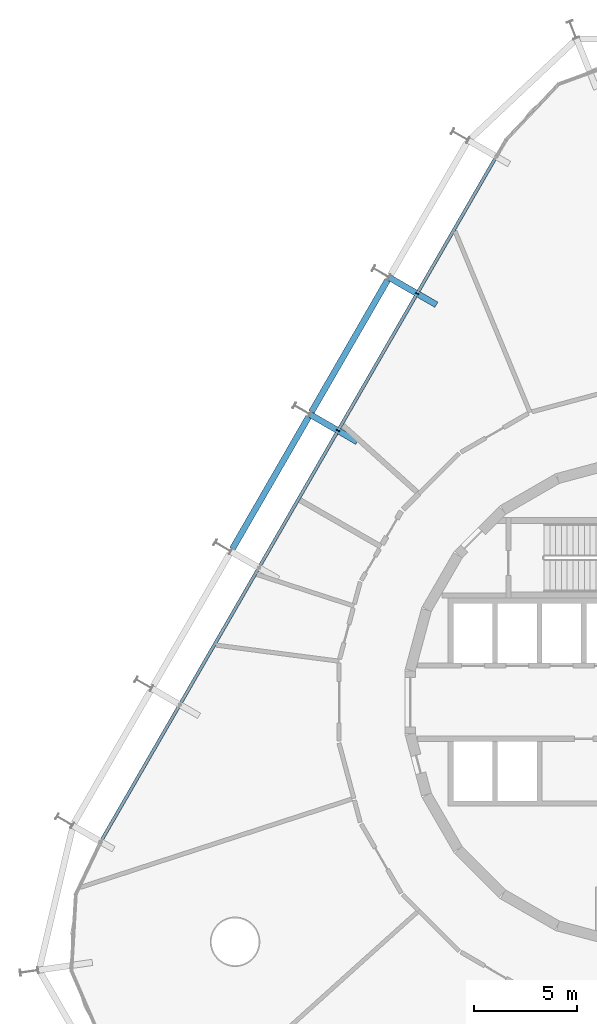
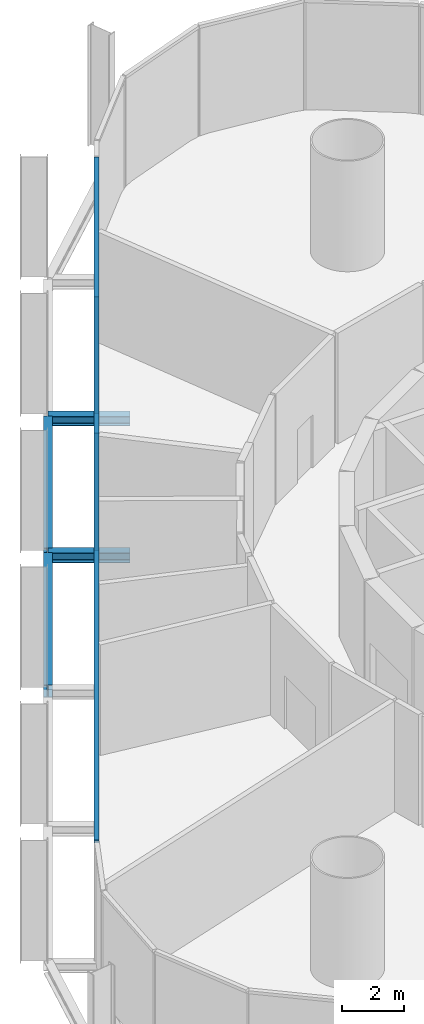
# One storey, part 8 of 17: 4 beams, 3 members, 1 element without a shape of its own.
"""IFC4 building model written with IfcOpenShell, lengths in metres."""

from ifc_helpers import new_model, si_unit, direction, frame, origin, origin_2d, place, context, subcontext, project, spatial, rectangle, i_section, extrude, material, layer, layer_set, material_profile, profile_set, type_object, element, aggregate, save


model = new_model("IFC4")

# Units and contexts
model_context = context("Model", 3, precision=1e-05, world=origin(), true_north=direction((0.0, 1.0)))
body_context = subcontext(model_context, "Body", "Model", "MODEL_VIEW")
ifc_project = project(units=[si_unit("LENGTHUNIT", "METRE"), si_unit("AREAUNIT", "SQUARE_METRE"), si_unit("VOLUMEUNIT", "CUBIC_METRE"), si_unit("PLANEANGLEUNIT", "RADIAN"), si_unit("MASSUNIT", "GRAM", prefix="KILO")], contexts=[model_context])

# Site, building, storey
site_placement = place(None, origin())
site = spatial("IfcSite", under=ifc_project, at=site_placement, CompositionType="ELEMENT")
building_placement = place(site_placement, origin())
building = spatial("IfcBuilding", under=site, at=building_placement, Name="Spindle Arch Residences", CompositionType="ELEMENT")
storey_placement = place(building_placement, frame((0.0, 0.0, 28.199951171875)))
storey = spatial("IfcBuildingStorey", under=building, at=storey_placement, Name="L05", CompositionType="ELEMENT", Elevation=28.199951171875)

# Curtain wall, members
ifc_material_1 = material(Name="Aluminium bronze unitised frame with tinted glass", Category="aluminium")
ifc_layer = layer(ifc_material_1, 0.159912109375)
ifc_layer_set = layer_set([ifc_layer], Name="CW-B amenity podium glazed wall")
curtain_wall_type = type_object("IfcCurtainWallType", Name="CW-B amenity podium glazed wall", PredefinedType="NOTDEFINED", material=ifc_layer_set)
curtain_wall_placement = place(storey_placement, origin())
curtain_wall = element("IfcCurtainWall", 1, at=curtain_wall_placement, inside=storey, type_object=curtain_wall_type, Name="CW-B L05 run 4", PredefinedType="NOTDEFINED")
ifc_material_2 = material(Name="Aluminium bronze anodised mullion", Category="aluminium")
ifc_material_profile_1 = material_profile(ifc_material_2, rectangle(XDim=0.159912109375, YDim=0.06005859375, at=origin_2d()), Name="MU 60x160")
ifc_profile_set_1 = profile_set([ifc_material_profile_1], Name="Aluminium bronze anodised mullion")
member_type_1 = type_object("IfcMemberType", Name="Bronze mullion 60x160", PredefinedType="MULLION", material=ifc_profile_set_1)
member_1_placement = place(storey_placement, frame((-11.309326171875, 19.83154296875, -0.3798828125), z_axis=(0.0, 0.0, 1.0), x_axis=(0.866025403784, -0.5, 0.0)))
member_1 = element("IfcMember", 2, at=member_1_placement, type_object=member_type_1, Name="CW-B mullion 14", PredefinedType="MULLION", context=body_context, shape_type="SweptSolid", body=[
    extrude(rectangle(XDim=0.159912109375, YDim=0.06005859375, at=origin_2d()), origin(), (0.0, 0.0, 1.0), 4.60986328125),
])
member_2_placement = place(storey_placement, frame((-15.149169921875, 13.180419921875, -0.3798828125), z_axis=(0.0, 0.0, 1.0), x_axis=(0.866025403784, -0.5, 0.0)))
member_2 = element("IfcMember", 3, at=member_2_placement, type_object=member_type_1, Name="CW-B mullion 15", PredefinedType="MULLION", context=body_context, shape_type="SweptSolid", body=[
    extrude(rectangle(XDim=0.159912109375, YDim=0.06005859375, at=origin_2d()), origin(), (0.0, 0.0, 1.0), 4.60986328125),
])
ifc_material_3 = material(Name="Aluminium bronze anodised transom", Category="aluminium")
ifc_material_profile_2 = material_profile(ifc_material_3, rectangle(XDim=0.159912109375, YDim=0.1201171875, at=origin_2d()), Name="TR 120x160")
ifc_profile_set_2 = profile_set([ifc_material_profile_2], Name="Aluminium bronze anodised transom")
member_type_2 = type_object("IfcMemberType", Name="Bronze transom 120x160", PredefinedType="USERDEFINED", material=ifc_profile_set_2)
member_3_placement = place(storey_placement, frame((-7.484130859375, 26.456787109375, 4.2900390625), z_axis=(-0.50000099666, -0.866024828362, 0.0), x_axis=(0.866024828362, -0.50000099666, 0.0)))
member_3 = element("IfcMember", 4, at=member_3_placement, type_object=member_type_2, Name="CW-B transom 00", ObjectType="TRANSOM", PredefinedType="USERDEFINED", context=body_context, shape_type="SweptSolid", body=[
    extrude(rectangle(XDim=0.159912109375, YDim=0.1201171875, at=origin_2d()), origin(), (0.0, 0.0, 1.0), 38.34033203125),
])
aggregate(curtain_wall, [member_3, member_1, member_2])

# Beams
ifc_material_4 = material(Name="Steel S460ML, intumescent coating R 120", Category="steel")
ifc_material_profile_3 = material_profile(ifc_material_4, i_section(OverallWidth=0.300048828125, OverallDepth=0.5, WebThickness=0.014404296875, FlangeThickness=0.028076171875, FilletRadius=0.027099609375, at=origin_2d()), Name="HEB 500")
ifc_profile_set_3 = profile_set([ifc_material_profile_3], Name="Steel S460ML, intumescent coating R 120")
beam_type_1 = type_object("IfcBeamType", Name="Exoskeleton edge beam HEB 500", PredefinedType="BEAM", material=ifc_profile_set_3)
beam_1_placement = place(storey_placement, frame((-12.73388671875, 20.504150390625, -0.6298828125), z_axis=(-0.49998923004, -0.866031621735, 0.0), x_axis=(0.866031621735, -0.49998923004, 0.0)))
element("IfcBeam", 5, at=beam_1_placement, inside=storey, type_object=beam_type_1, Name="Exoskeleton edge beam 15", PredefinedType="BEAM", context=body_context, shape_type="SweptSolid", body=[
    extrude(i_section(OverallWidth=0.300048828125, OverallDepth=0.5, WebThickness=0.014404296875, FlangeThickness=0.028076171875, FilletRadius=0.027099609375, at=origin_2d()), origin(), (0.0, 0.0, 1.0), 7.420166015625),
])
beam_2_placement = place(storey_placement, frame((-16.573974609375, 13.852783203125, -0.6298828125), z_axis=(-0.500003477455, -0.866023396066, 0.0), x_axis=(0.866023396066, -0.500003477455, 0.0)))
element("IfcBeam", 6, at=beam_2_placement, inside=storey, type_object=beam_type_1, Name="Exoskeleton edge beam 16", PredefinedType="BEAM", context=body_context, shape_type="SweptSolid", body=[
    extrude(i_section(OverallWidth=0.300048828125, OverallDepth=0.5, WebThickness=0.014404296875, FlangeThickness=0.028076171875, FilletRadius=0.027099609375, at=origin_2d()), origin(), (0.0, 0.0, 1.0), 7.419921875),
])
ifc_material_5 = material(Name="Steel S460ML, intumescent coating R 120", Category="steel")
ifc_material_profile_4 = material_profile(ifc_material_5, i_section(OverallWidth=0.300048828125, OverallDepth=0.389892578125, WebThickness=0.010986328125, FlangeThickness=0.01904296875, FilletRadius=0.027099609375, at=origin_2d()), Name="HEA 400")
ifc_profile_set_4 = profile_set([ifc_material_profile_4], Name="Steel S460ML, intumescent coating R 120")
beam_type_2 = type_object("IfcBeamType", Name="Floor outrigger HEA 400", PredefinedType="BEAM", material=ifc_profile_set_4)
for number, where, z_axis, x_axis, name in (
    (7, (-12.6689453125, 20.61669921875, -0.574951171875), (0.866052124492, -0.499953715521, 0.0), (0.499953715521, 0.866052124492, 0.0), "Floor outrigger 15"),
    (8, (-16.5087890625, 13.965576171875, -0.574951171875), (0.865989200783, -0.500062700197, 0.0), (0.500062700197, 0.865989200783, 0.0), "Floor outrigger 16"),
):
    element("IfcBeam", number, at=place(storey_placement, frame(where, z_axis=z_axis, x_axis=x_axis)), inside=storey, type_object=beam_type_2, Name=name, PredefinedType="BEAM", context=body_context, shape_type="SweptSolid", body=[
        extrude(i_section(OverallWidth=0.300048828125, OverallDepth=0.389892578125, WebThickness=0.010986328125, FlangeThickness=0.01904296875, FilletRadius=0.027099609375, at=origin_2d()), origin(), (0.0, 0.0, 1.0), 2.650146484375),
    ])

save(model, "model.ifc")
